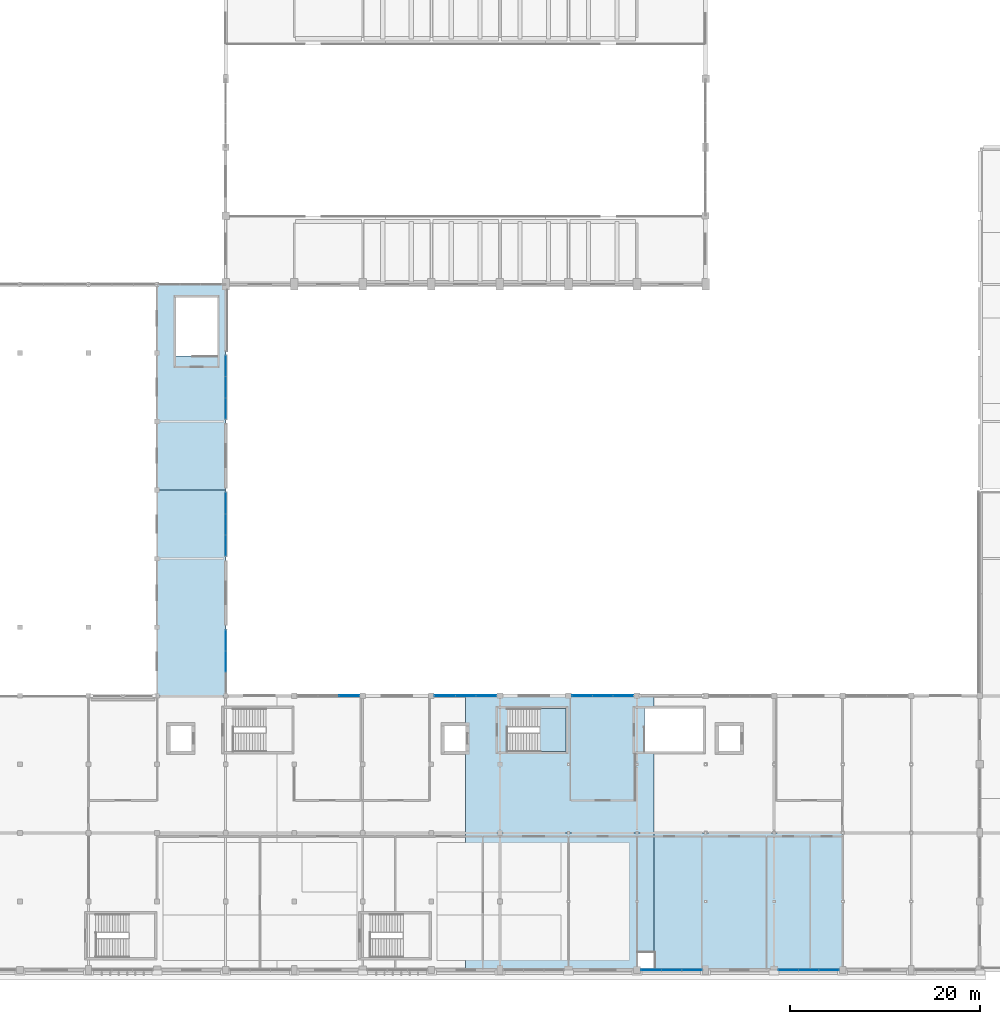
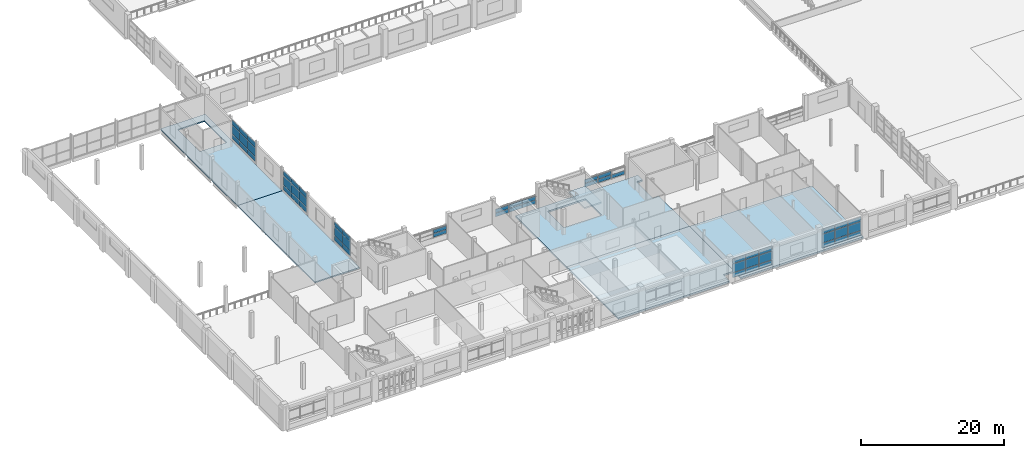
# One storey, part 33 of 71: 55 plates, 6 slabs, 9 elements without a shape of their own.
"""IFC4 building model written with IfcOpenShell, lengths in metres."""

from ifc_helpers import new_model, si_unit, direction, frame, origin, origin_2d, place, context, subcontext, project, spatial, polyline, rectangle, outline, extrude, material, layer, layer_set, type_object, element, aggregate, save


model = new_model("IFC4")

# Units and contexts
model_context = context("Model", 3, precision=1e-05, world=origin(), true_north=direction((0.0, 1.0)))
body_context = subcontext(model_context, "Body", "Model", "MODEL_VIEW")
ifc_project = project(units=[si_unit("LENGTHUNIT", "METRE"), si_unit("AREAUNIT", "SQUARE_METRE"), si_unit("VOLUMEUNIT", "CUBIC_METRE"), si_unit("PLANEANGLEUNIT", "RADIAN"), si_unit("MASSUNIT", "GRAM", prefix="KILO")], contexts=[model_context])

# Site, building, storey
site_placement = place(None, origin())
site = spatial("IfcSite", under=ifc_project, at=site_placement, CompositionType="ELEMENT")
building_placement = place(site_placement, origin())
building = spatial("IfcBuilding", under=site, at=building_placement, Name="Sardonyx Promenade Sports Hall", CompositionType="ELEMENT")
storey_placement = place(building_placement, frame((0.0, 0.0, 16.0)))
storey = spatial("IfcBuildingStorey", under=building, at=storey_placement, Name="L03", CompositionType="ELEMENT", Elevation=16.0)

# Curtain wall, plates
ifc_material_1 = material(Name="Aluminium 6063-T6", Category="aluminium")
curtain_wall_type_1 = type_object("IfcCurtainWallType", Name="CW_South_L03_640", PredefinedType="USERDEFINED", material=ifc_material_1)
curtain_wall_1_placement = place(storey_placement, origin())
curtain_wall_1 = element("IfcCurtainWall", 1, at=curtain_wall_1_placement, inside=storey, type_object=curtain_wall_type_1, Name="Curtain wall CW14 cw:L03:042", ObjectType="CURTAIN WALL", PredefinedType="USERDEFINED")
ifc_material_2 = material(Name="Double-glazed solar low-E IGU 28 mm", Category="glass")
ifc_layer_1 = layer(ifc_material_2, 0.028076171875)
ifc_layer_set_1 = layer_set([ifc_layer_1], Name="CW_Pan_Glz_28")
plate_type_1 = type_object("IfcPlateType", Name="CW_Pan_Glz_28", PredefinedType="CURTAIN_PANEL", material=ifc_layer_set_1)
plate_1_placement = place(storey_placement, frame((92.1416015625, 0.0, 0.409912109375), z_axis=(0.0, 0.0, 1.0), x_axis=(-1.0, 0.0, 0.0)))
plate_1 = element("IfcPlate", 2, at=plate_1_placement, type_object=plate_type_1, Name="Curtain panel CP01 cw:L03:042 #1", PredefinedType="CURTAIN_PANEL", context=body_context, shape_type="SweptSolid", body=[
    extrude(rectangle(XDim=2.056640625, YDim=0.028076171875, at=origin_2d()), origin(), (0.0, 0.0, 1.0), 0.81005859375),
])
plate_2_placement = place(storey_placement, frame((92.1416015625, 0.0, 1.27978515625), z_axis=(0.0, 0.0, 1.0), x_axis=(-1.0, 0.0, 0.0)))
plate_2 = element("IfcPlate", 3, at=plate_2_placement, type_object=plate_type_1, Name="Curtain panel CP01 cw:L03:042 #2", PredefinedType="CURTAIN_PANEL", context=body_context, shape_type="SweptSolid", body=[
    extrude(rectangle(XDim=2.056640625, YDim=0.028076171875, at=origin_2d()), origin(), (0.0, 0.0, 1.0), 1.489990234375),
])
plate_3_placement = place(storey_placement, frame((92.1416015625, 0.0, 2.830078125), z_axis=(0.0, 0.0, 1.0), x_axis=(-1.0, 0.0, 0.0)))
plate_3 = element("IfcPlate", 4, at=plate_3_placement, type_object=plate_type_1, Name="Curtain panel CP01 cw:L03:042 #3", PredefinedType="CURTAIN_PANEL", context=body_context, shape_type="SweptSolid", body=[
    extrude(rectangle(XDim=2.056640625, YDim=0.028076171875, at=origin_2d()), origin(), (0.0, 0.0, 1.0), 0.784912109375),
])
plate_4_placement = place(storey_placement, frame((90.02490234375, 0.0, 0.409912109375), z_axis=(0.0, 0.0, 1.0), x_axis=(-1.0, 0.0, 0.0)))
plate_4 = element("IfcPlate", 5, at=plate_4_placement, type_object=plate_type_1, Name="Curtain panel CP01 cw:L03:042 #4", PredefinedType="CURTAIN_PANEL", context=body_context, shape_type="SweptSolid", body=[
    extrude(rectangle(XDim=2.056640625, YDim=0.028076171875, at=origin_2d()), origin(), (0.0, 0.0, 1.0), 0.81005859375),
])
plate_5_placement = place(storey_placement, frame((90.02490234375, 0.0, 1.27978515625), z_axis=(0.0, 0.0, 1.0), x_axis=(-1.0, 0.0, 0.0)))
plate_5 = element("IfcPlate", 6, at=plate_5_placement, type_object=plate_type_1, Name="Curtain panel CP01 cw:L03:042 #5", PredefinedType="CURTAIN_PANEL", context=body_context, shape_type="SweptSolid", body=[
    extrude(rectangle(XDim=2.056640625, YDim=0.028076171875, at=origin_2d()), origin(), (0.0, 0.0, 1.0), 1.489990234375),
])
plate_6_placement = place(storey_placement, frame((90.02490234375, 0.0, 2.830078125), z_axis=(0.0, 0.0, 1.0), x_axis=(-1.0, 0.0, 0.0)))
plate_6 = element("IfcPlate", 7, at=plate_6_placement, type_object=plate_type_1, Name="Curtain panel CP01 cw:L03:042 #6", PredefinedType="CURTAIN_PANEL", context=body_context, shape_type="SweptSolid", body=[
    extrude(rectangle(XDim=2.056640625, YDim=0.028076171875, at=origin_2d()), origin(), (0.0, 0.0, 1.0), 0.784912109375),
])
plate_7_placement = place(storey_placement, frame((87.908447265625, 0.0, 0.409912109375), z_axis=(0.0, 0.0, 1.0), x_axis=(-1.0, 0.0, 0.0)))
plate_7 = element("IfcPlate", 8, at=plate_7_placement, type_object=plate_type_1, Name="Curtain panel CP01 cw:L03:042 #7", PredefinedType="CURTAIN_PANEL", context=body_context, shape_type="SweptSolid", body=[
    extrude(rectangle(XDim=2.056640625, YDim=0.028076171875, at=origin_2d()), origin(), (0.0, 0.0, 1.0), 0.81005859375),
])
plate_8_placement = place(storey_placement, frame((87.908447265625, 0.0, 1.27978515625), z_axis=(0.0, 0.0, 1.0), x_axis=(-1.0, 0.0, 0.0)))
plate_8 = element("IfcPlate", 9, at=plate_8_placement, type_object=plate_type_1, Name="Curtain panel CP01 cw:L03:042 #8", PredefinedType="CURTAIN_PANEL", context=body_context, shape_type="SweptSolid", body=[
    extrude(rectangle(XDim=2.056640625, YDim=0.028076171875, at=origin_2d()), origin(), (0.0, 0.0, 1.0), 1.489990234375),
])
plate_9_placement = place(storey_placement, frame((87.908447265625, 0.0, 2.830078125), z_axis=(0.0, 0.0, 1.0), x_axis=(-1.0, 0.0, 0.0)))
plate_9 = element("IfcPlate", 10, at=plate_9_placement, type_object=plate_type_1, Name="Curtain panel CP01 cw:L03:042 #9", PredefinedType="CURTAIN_PANEL", context=body_context, shape_type="SweptSolid", body=[
    extrude(rectangle(XDim=2.056640625, YDim=0.028076171875, at=origin_2d()), origin(), (0.0, 0.0, 1.0), 0.784912109375),
])
aggregate(curtain_wall_1, [plate_1, plate_2, plate_3, plate_4, plate_5, plate_6, plate_7, plate_8, plate_9])

curtain_wall_2_placement = place(storey_placement, origin())
curtain_wall_2 = element("IfcCurtainWall", 11, at=curtain_wall_2_placement, inside=storey, type_object=curtain_wall_type_1, Name="Curtain wall CW14 cw:L03:043", ObjectType="CURTAIN WALL", PredefinedType="USERDEFINED")
plate_10_placement = place(storey_placement, frame((77.77490234375, 0.0, 0.409912109375), z_axis=(0.0, 0.0, 1.0), x_axis=(-1.0, 0.0, 0.0)))
plate_10 = element("IfcPlate", 12, at=plate_10_placement, type_object=plate_type_1, Name="Curtain panel CP01 cw:L03:043 #1", PredefinedType="CURTAIN_PANEL", context=body_context, shape_type="SweptSolid", body=[
    extrude(rectangle(XDim=2.090087890625, YDim=0.028076171875, at=origin_2d()), origin(), (0.0, 0.0, 1.0), 0.81005859375),
])
plate_11_placement = place(storey_placement, frame((77.77490234375, 0.0, 1.27978515625), z_axis=(0.0, 0.0, 1.0), x_axis=(-1.0, 0.0, 0.0)))
plate_11 = element("IfcPlate", 13, at=plate_11_placement, type_object=plate_type_1, Name="Curtain panel CP01 cw:L03:043 #2", PredefinedType="CURTAIN_PANEL", context=body_context, shape_type="SweptSolid", body=[
    extrude(rectangle(XDim=2.090087890625, YDim=0.028076171875, at=origin_2d()), origin(), (0.0, 0.0, 1.0), 1.489990234375),
])
plate_12_placement = place(storey_placement, frame((77.77490234375, 0.0, 2.830078125), z_axis=(0.0, 0.0, 1.0), x_axis=(-1.0, 0.0, 0.0)))
plate_12 = element("IfcPlate", 14, at=plate_12_placement, type_object=plate_type_1, Name="Curtain panel CP01 cw:L03:043 #3", PredefinedType="CURTAIN_PANEL", context=body_context, shape_type="SweptSolid", body=[
    extrude(rectangle(XDim=2.090087890625, YDim=0.028076171875, at=origin_2d()), origin(), (0.0, 0.0, 1.0), 0.784912109375),
])
plate_13_placement = place(storey_placement, frame((75.625, 0.0, 0.409912109375), z_axis=(0.0, 0.0, 1.0), x_axis=(-1.0, 0.0, 0.0)))
plate_13 = element("IfcPlate", 15, at=plate_13_placement, type_object=plate_type_1, Name="Curtain panel CP01 cw:L03:043 #4", PredefinedType="CURTAIN_PANEL", context=body_context, shape_type="SweptSolid", body=[
    extrude(rectangle(XDim=2.090087890625, YDim=0.028076171875, at=origin_2d()), origin(), (0.0, 0.0, 1.0), 0.81005859375),
])
plate_14_placement = place(storey_placement, frame((75.625, 0.0, 1.27978515625), z_axis=(0.0, 0.0, 1.0), x_axis=(-1.0, 0.0, 0.0)))
plate_14 = element("IfcPlate", 16, at=plate_14_placement, type_object=plate_type_1, Name="Curtain panel CP01 cw:L03:043 #5", PredefinedType="CURTAIN_PANEL", context=body_context, shape_type="SweptSolid", body=[
    extrude(rectangle(XDim=2.090087890625, YDim=0.028076171875, at=origin_2d()), origin(), (0.0, 0.0, 1.0), 1.489990234375),
])
plate_15_placement = place(storey_placement, frame((75.625, 0.0, 2.830078125), z_axis=(0.0, 0.0, 1.0), x_axis=(-1.0, 0.0, 0.0)))
plate_15 = element("IfcPlate", 17, at=plate_15_placement, type_object=plate_type_1, Name="Curtain panel CP01 cw:L03:043 #6", PredefinedType="CURTAIN_PANEL", context=body_context, shape_type="SweptSolid", body=[
    extrude(rectangle(XDim=2.090087890625, YDim=0.028076171875, at=origin_2d()), origin(), (0.0, 0.0, 1.0), 0.784912109375),
])
plate_16_placement = place(storey_placement, frame((73.47509765625, 0.0, 0.409912109375), z_axis=(0.0, 0.0, 1.0), x_axis=(-1.0, 0.0, 0.0)))
plate_16 = element("IfcPlate", 18, at=plate_16_placement, type_object=plate_type_1, Name="Curtain panel CP01 cw:L03:043 #7", PredefinedType="CURTAIN_PANEL", context=body_context, shape_type="SweptSolid", body=[
    extrude(rectangle(XDim=2.090087890625, YDim=0.028076171875, at=origin_2d()), origin(), (0.0, 0.0, 1.0), 0.81005859375),
])
plate_17_placement = place(storey_placement, frame((73.47509765625, 0.0, 1.27978515625), z_axis=(0.0, 0.0, 1.0), x_axis=(-1.0, 0.0, 0.0)))
plate_17 = element("IfcPlate", 19, at=plate_17_placement, type_object=plate_type_1, Name="Curtain panel CP01 cw:L03:043 #8", PredefinedType="CURTAIN_PANEL", context=body_context, shape_type="SweptSolid", body=[
    extrude(rectangle(XDim=2.090087890625, YDim=0.028076171875, at=origin_2d()), origin(), (0.0, 0.0, 1.0), 1.489990234375),
])
plate_18_placement = place(storey_placement, frame((73.47509765625, 0.0, 2.830078125), z_axis=(0.0, 0.0, 1.0), x_axis=(-1.0, 0.0, 0.0)))
plate_18 = element("IfcPlate", 20, at=plate_18_placement, type_object=plate_type_1, Name="Curtain panel CP01 cw:L03:043 #9", PredefinedType="CURTAIN_PANEL", context=body_context, shape_type="SweptSolid", body=[
    extrude(rectangle(XDim=2.090087890625, YDim=0.028076171875, at=origin_2d()), origin(), (0.0, 0.0, 1.0), 0.784912109375),
])
aggregate(curtain_wall_2, [plate_10, plate_11, plate_12, plate_13, plate_14, plate_15, plate_16, plate_17, plate_18])

curtain_wall_3_placement = place(storey_placement, origin())
curtain_wall_3 = element("IfcCurtainWall", 21, at=curtain_wall_3_placement, inside=storey, type_object=curtain_wall_type_1, Name="Curtain wall CW14 cw:L03:155", ObjectType="CURTAIN WALL", PredefinedType="USERDEFINED")
plate_19_placement = place(storey_placement, frame((28.800048828125, 63.419921875, 0.409912109375), z_axis=(0.0, 0.0, 1.0), x_axis=(0.0, -1.0, 0.0)))
plate_19 = element("IfcPlate", 22, at=plate_19_placement, type_object=plate_type_1, Name="Curtain panel CP01 cw:L03:155 #1", PredefinedType="CURTAIN_PANEL", context=body_context, shape_type="SweptSolid", body=[
    extrude(rectangle(XDim=2.159912109375, YDim=0.028076171875, at=origin_2d()), origin(), (0.0, 0.0, 1.0), 0.81005859375),
])
plate_20_placement = place(storey_placement, frame((28.800048828125, 63.419921875, 1.27978515625), z_axis=(0.0, 0.0, 1.0), x_axis=(0.0, -1.0, 0.0)))
plate_20 = element("IfcPlate", 23, at=plate_20_placement, type_object=plate_type_1, Name="Curtain panel CP01 cw:L03:155 #2", PredefinedType="CURTAIN_PANEL", context=body_context, shape_type="SweptSolid", body=[
    extrude(rectangle(XDim=2.159912109375, YDim=0.028076171875, at=origin_2d()), origin(), (0.0, 0.0, 1.0), 1.489990234375),
])
plate_21_placement = place(storey_placement, frame((28.800048828125, 63.419921875, 2.830078125), z_axis=(0.0, 0.0, 1.0), x_axis=(0.0, -1.0, 0.0)))
plate_21 = element("IfcPlate", 24, at=plate_21_placement, type_object=plate_type_1, Name="Curtain panel CP01 cw:L03:155 #3", PredefinedType="CURTAIN_PANEL", context=body_context, shape_type="SweptSolid", body=[
    extrude(rectangle(XDim=2.159912109375, YDim=0.028076171875, at=origin_2d()), origin(), (0.0, 0.0, 1.0), 0.81494140625),
])
plate_22_placement = place(storey_placement, frame((28.800048828125, 61.199951171875, 0.409912109375), z_axis=(0.0, 0.0, 1.0), x_axis=(0.0, -1.0, 0.0)))
plate_22 = element("IfcPlate", 25, at=plate_22_placement, type_object=plate_type_1, Name="Curtain panel CP01 cw:L03:155 #4", PredefinedType="CURTAIN_PANEL", context=body_context, shape_type="SweptSolid", body=[
    extrude(rectangle(XDim=2.159912109375, YDim=0.028076171875, at=origin_2d()), origin(), (0.0, 0.0, 1.0), 0.81005859375),
])
plate_23_placement = place(storey_placement, frame((28.800048828125, 61.199951171875, 1.27978515625), z_axis=(0.0, 0.0, 1.0), x_axis=(0.0, -1.0, 0.0)))
plate_23 = element("IfcPlate", 26, at=plate_23_placement, type_object=plate_type_1, Name="Curtain panel CP01 cw:L03:155 #5", PredefinedType="CURTAIN_PANEL", context=body_context, shape_type="SweptSolid", body=[
    extrude(rectangle(XDim=2.159912109375, YDim=0.028076171875, at=origin_2d()), origin(), (0.0, 0.0, 1.0), 1.489990234375),
])
plate_24_placement = place(storey_placement, frame((28.800048828125, 61.199951171875, 2.830078125), z_axis=(0.0, 0.0, 1.0), x_axis=(0.0, -1.0, 0.0)))
plate_24 = element("IfcPlate", 27, at=plate_24_placement, type_object=plate_type_1, Name="Curtain panel CP01 cw:L03:155 #6", PredefinedType="CURTAIN_PANEL", context=body_context, shape_type="SweptSolid", body=[
    extrude(rectangle(XDim=2.159912109375, YDim=0.028076171875, at=origin_2d()), origin(), (0.0, 0.0, 1.0), 0.81494140625),
])
plate_25_placement = place(storey_placement, frame((28.800048828125, 58.97998046875, 0.409912109375), z_axis=(0.0, 0.0, 1.0), x_axis=(0.0, -1.0, 0.0)))
plate_25 = element("IfcPlate", 28, at=plate_25_placement, type_object=plate_type_1, Name="Curtain panel CP01 cw:L03:155 #7", PredefinedType="CURTAIN_PANEL", context=body_context, shape_type="SweptSolid", body=[
    extrude(rectangle(XDim=2.159912109375, YDim=0.028076171875, at=origin_2d()), origin(), (0.0, 0.0, 1.0), 0.81005859375),
])
plate_26_placement = place(storey_placement, frame((28.800048828125, 58.97998046875, 1.27978515625), z_axis=(0.0, 0.0, 1.0), x_axis=(0.0, -1.0, 0.0)))
plate_26 = element("IfcPlate", 29, at=plate_26_placement, type_object=plate_type_1, Name="Curtain panel CP01 cw:L03:155 #8", PredefinedType="CURTAIN_PANEL", context=body_context, shape_type="SweptSolid", body=[
    extrude(rectangle(XDim=2.159912109375, YDim=0.028076171875, at=origin_2d()), origin(), (0.0, 0.0, 1.0), 1.489990234375),
])
plate_27_placement = place(storey_placement, frame((28.800048828125, 58.97998046875, 2.830078125), z_axis=(0.0, 0.0, 1.0), x_axis=(0.0, -1.0, 0.0)))
plate_27 = element("IfcPlate", 30, at=plate_27_placement, type_object=plate_type_1, Name="Curtain panel CP01 cw:L03:155 #9", PredefinedType="CURTAIN_PANEL", context=body_context, shape_type="SweptSolid", body=[
    extrude(rectangle(XDim=2.159912109375, YDim=0.028076171875, at=origin_2d()), origin(), (0.0, 0.0, 1.0), 0.81494140625),
])
aggregate(curtain_wall_3, [plate_19, plate_20, plate_21, plate_22, plate_23, plate_24, plate_25, plate_26, plate_27])

curtain_wall_4_placement = place(storey_placement, origin())
curtain_wall_4 = element("IfcCurtainWall", 31, at=curtain_wall_4_placement, inside=storey, type_object=curtain_wall_type_1, Name="Curtain wall CW14 cw:L03:156", ObjectType="CURTAIN WALL", PredefinedType="USERDEFINED")
plate_28_placement = place(storey_placement, frame((28.800048828125, 49.02001953125, 0.409912109375), z_axis=(0.0, 0.0, 1.0), x_axis=(0.0, -1.0, 0.0)))
plate_28 = element("IfcPlate", 32, at=plate_28_placement, type_object=plate_type_1, Name="Curtain panel CP01 cw:L03:156 #1", PredefinedType="CURTAIN_PANEL", context=body_context, shape_type="SweptSolid", body=[
    extrude(rectangle(XDim=2.159912109375, YDim=0.028076171875, at=origin_2d()), origin(), (0.0, 0.0, 1.0), 0.81005859375),
])
plate_29_placement = place(storey_placement, frame((28.800048828125, 49.02001953125, 1.27978515625), z_axis=(0.0, 0.0, 1.0), x_axis=(0.0, -1.0, 0.0)))
plate_29 = element("IfcPlate", 33, at=plate_29_placement, type_object=plate_type_1, Name="Curtain panel CP01 cw:L03:156 #2", PredefinedType="CURTAIN_PANEL", context=body_context, shape_type="SweptSolid", body=[
    extrude(rectangle(XDim=2.159912109375, YDim=0.028076171875, at=origin_2d()), origin(), (0.0, 0.0, 1.0), 1.489990234375),
])
plate_30_placement = place(storey_placement, frame((28.800048828125, 49.02001953125, 2.830078125), z_axis=(0.0, 0.0, 1.0), x_axis=(0.0, -1.0, 0.0)))
plate_30 = element("IfcPlate", 34, at=plate_30_placement, type_object=plate_type_1, Name="Curtain panel CP01 cw:L03:156 #3", PredefinedType="CURTAIN_PANEL", context=body_context, shape_type="SweptSolid", body=[
    extrude(rectangle(XDim=2.159912109375, YDim=0.028076171875, at=origin_2d()), origin(), (0.0, 0.0, 1.0), 0.81494140625),
])
plate_31_placement = place(storey_placement, frame((28.800048828125, 46.800048828125, 0.409912109375), z_axis=(0.0, 0.0, 1.0), x_axis=(0.0, -1.0, 0.0)))
plate_31 = element("IfcPlate", 35, at=plate_31_placement, type_object=plate_type_1, Name="Curtain panel CP01 cw:L03:156 #4", PredefinedType="CURTAIN_PANEL", context=body_context, shape_type="SweptSolid", body=[
    extrude(rectangle(XDim=2.159912109375, YDim=0.028076171875, at=origin_2d()), origin(), (0.0, 0.0, 1.0), 0.81005859375),
])
plate_32_placement = place(storey_placement, frame((28.800048828125, 46.800048828125, 1.27978515625), z_axis=(0.0, 0.0, 1.0), x_axis=(0.0, -1.0, 0.0)))
plate_32 = element("IfcPlate", 36, at=plate_32_placement, type_object=plate_type_1, Name="Curtain panel CP01 cw:L03:156 #5", PredefinedType="CURTAIN_PANEL", context=body_context, shape_type="SweptSolid", body=[
    extrude(rectangle(XDim=2.159912109375, YDim=0.028076171875, at=origin_2d()), origin(), (0.0, 0.0, 1.0), 1.489990234375),
])
plate_33_placement = place(storey_placement, frame((28.800048828125, 46.800048828125, 2.830078125), z_axis=(0.0, 0.0, 1.0), x_axis=(0.0, -1.0, 0.0)))
plate_33 = element("IfcPlate", 37, at=plate_33_placement, type_object=plate_type_1, Name="Curtain panel CP01 cw:L03:156 #6", PredefinedType="CURTAIN_PANEL", context=body_context, shape_type="SweptSolid", body=[
    extrude(rectangle(XDim=2.159912109375, YDim=0.028076171875, at=origin_2d()), origin(), (0.0, 0.0, 1.0), 0.81494140625),
])
plate_34_placement = place(storey_placement, frame((28.800048828125, 44.580078125, 0.409912109375), z_axis=(0.0, 0.0, 1.0), x_axis=(0.0, -1.0, 0.0)))
plate_34 = element("IfcPlate", 38, at=plate_34_placement, type_object=plate_type_1, Name="Curtain panel CP01 cw:L03:156 #7", PredefinedType="CURTAIN_PANEL", context=body_context, shape_type="SweptSolid", body=[
    extrude(rectangle(XDim=2.159912109375, YDim=0.028076171875, at=origin_2d()), origin(), (0.0, 0.0, 1.0), 0.81005859375),
])
plate_35_placement = place(storey_placement, frame((28.800048828125, 44.580078125, 1.27978515625), z_axis=(0.0, 0.0, 1.0), x_axis=(0.0, -1.0, 0.0)))
plate_35 = element("IfcPlate", 39, at=plate_35_placement, type_object=plate_type_1, Name="Curtain panel CP01 cw:L03:156 #8", PredefinedType="CURTAIN_PANEL", context=body_context, shape_type="SweptSolid", body=[
    extrude(rectangle(XDim=2.159912109375, YDim=0.028076171875, at=origin_2d()), origin(), (0.0, 0.0, 1.0), 1.489990234375),
])
plate_36_placement = place(storey_placement, frame((28.800048828125, 44.580078125, 2.830078125), z_axis=(0.0, 0.0, 1.0), x_axis=(0.0, -1.0, 0.0)))
plate_36 = element("IfcPlate", 40, at=plate_36_placement, type_object=plate_type_1, Name="Curtain panel CP01 cw:L03:156 #9", PredefinedType="CURTAIN_PANEL", context=body_context, shape_type="SweptSolid", body=[
    extrude(rectangle(XDim=2.159912109375, YDim=0.028076171875, at=origin_2d()), origin(), (0.0, 0.0, 1.0), 0.81494140625),
])
aggregate(curtain_wall_4, [plate_28, plate_29, plate_30, plate_31, plate_32, plate_33, plate_34, plate_35, plate_36])

curtain_wall_5_placement = place(storey_placement, origin())
curtain_wall_5 = element("IfcCurtainWall", 41, at=curtain_wall_5_placement, inside=storey, type_object=curtain_wall_type_1, Name="Curtain wall CW14 cw:L03:157", ObjectType="CURTAIN WALL", PredefinedType="USERDEFINED")
plate_37_placement = place(storey_placement, frame((28.800048828125, 34.625, 0.409912109375), z_axis=(0.0, 0.0, 1.0), x_axis=(0.0, -1.0, 0.0)))
plate_37 = element("IfcPlate", 42, at=plate_37_placement, type_object=plate_type_1, Name="Curtain panel CP01 cw:L03:157 #1", PredefinedType="CURTAIN_PANEL", context=body_context, shape_type="SweptSolid", body=[
    extrude(rectangle(XDim=2.14990234375, YDim=0.028076171875, at=origin_2d()), origin(), (0.0, 0.0, 1.0), 0.81005859375),
])
plate_38_placement = place(storey_placement, frame((28.800048828125, 34.625, 1.27978515625), z_axis=(0.0, 0.0, 1.0), x_axis=(0.0, -1.0, 0.0)))
plate_38 = element("IfcPlate", 43, at=plate_38_placement, type_object=plate_type_1, Name="Curtain panel CP01 cw:L03:157 #2", PredefinedType="CURTAIN_PANEL", context=body_context, shape_type="SweptSolid", body=[
    extrude(rectangle(XDim=2.14990234375, YDim=0.028076171875, at=origin_2d()), origin(), (0.0, 0.0, 1.0), 1.489990234375),
])
plate_39_placement = place(storey_placement, frame((28.800048828125, 34.625, 2.830078125), z_axis=(0.0, 0.0, 1.0), x_axis=(0.0, -1.0, 0.0)))
plate_39 = element("IfcPlate", 44, at=plate_39_placement, type_object=plate_type_1, Name="Curtain panel CP01 cw:L03:157 #3", PredefinedType="CURTAIN_PANEL", context=body_context, shape_type="SweptSolid", body=[
    extrude(rectangle(XDim=2.14990234375, YDim=0.028076171875, at=origin_2d()), origin(), (0.0, 0.0, 1.0), 0.764892578125),
])
plate_40_placement = place(storey_placement, frame((28.800048828125, 32.4150390625, 0.409912109375), z_axis=(0.0, 0.0, 1.0), x_axis=(0.0, -1.0, 0.0)))
plate_40 = element("IfcPlate", 45, at=plate_40_placement, type_object=plate_type_1, Name="Curtain panel CP01 cw:L03:157 #4", PredefinedType="CURTAIN_PANEL", context=body_context, shape_type="SweptSolid", body=[
    extrude(rectangle(XDim=2.14990234375, YDim=0.028076171875, at=origin_2d()), origin(), (0.0, 0.0, 1.0), 0.81005859375),
])
plate_41_placement = place(storey_placement, frame((28.800048828125, 32.4150390625, 1.27978515625), z_axis=(0.0, 0.0, 1.0), x_axis=(0.0, -1.0, 0.0)))
plate_41 = element("IfcPlate", 46, at=plate_41_placement, type_object=plate_type_1, Name="Curtain panel CP01 cw:L03:157 #5", PredefinedType="CURTAIN_PANEL", context=body_context, shape_type="SweptSolid", body=[
    extrude(rectangle(XDim=2.14990234375, YDim=0.028076171875, at=origin_2d()), origin(), (0.0, 0.0, 1.0), 1.489990234375),
])
plate_42_placement = place(storey_placement, frame((28.800048828125, 32.4150390625, 2.830078125), z_axis=(0.0, 0.0, 1.0), x_axis=(0.0, -1.0, 0.0)))
plate_42 = element("IfcPlate", 47, at=plate_42_placement, type_object=plate_type_1, Name="Curtain panel CP01 cw:L03:157 #6", PredefinedType="CURTAIN_PANEL", context=body_context, shape_type="SweptSolid", body=[
    extrude(rectangle(XDim=2.14990234375, YDim=0.028076171875, at=origin_2d()), origin(), (0.0, 0.0, 1.0), 0.764892578125),
])
aggregate(curtain_wall_5, [plate_37, plate_38, plate_39, plate_40, plate_41, plate_42])

ifc_material_3 = material(Name="Aluminium 6063-T6", Category="aluminium")
curtain_wall_type_2 = type_object("IfcCurtainWallType", Name="CW_Spandrel_Band", PredefinedType="USERDEFINED", material=ifc_material_3)
curtain_wall_6_placement = place(storey_placement, origin())
curtain_wall_6 = element("IfcCurtainWall", 48, at=curtain_wall_6_placement, inside=storey, type_object=curtain_wall_type_2, Name="Curtain wall CW16 cw:L03:163", ObjectType="CURTAIN WALL", PredefinedType="USERDEFINED")
ifc_material_4 = material(Name="Insulated sandstone-faced spandrel 60 mm", Category="masonry")
ifc_layer_2 = layer(ifc_material_4, 0.06005859375)
ifc_layer_set_2 = layer_set([ifc_layer_2], Name="CW_Pan_Spn_60")
plate_type_2 = type_object("IfcPlateType", Name="CW_Pan_Spn_60", PredefinedType="CURTAIN_PANEL", material=ifc_layer_set_2)
plate_43_placement = place(storey_placement, frame((41.7666015625, 28.800048828125, 0.9599609375), z_axis=(0.0, 0.0, 1.0), x_axis=(1.0, 0.0, 0.0)))
plate_43 = element("IfcPlate", 49, at=plate_43_placement, type_object=plate_type_2, Name="Curtain panel CP06 cw:L03:163 #5", PredefinedType="CURTAIN_PANEL", context=body_context, shape_type="SweptSolid", body=[
    extrude(rectangle(XDim=2.106689453125, YDim=0.06005859375, at=origin_2d()), origin(), (0.0, 0.0, 1.0), 0.610107421875),
])
plate_44_placement = place(storey_placement, frame((41.7666015625, 28.800048828125, 1.6298828125), z_axis=(0.0, 0.0, 1.0), x_axis=(1.0, 0.0, 0.0)))
plate_44 = element("IfcPlate", 50, at=plate_44_placement, type_object=plate_type_2, Name="Curtain panel CP06 cw:L03:163 #6", PredefinedType="CURTAIN_PANEL", context=body_context, shape_type="SweptSolid", body=[
    extrude(rectangle(XDim=2.106689453125, YDim=0.06005859375, at=origin_2d()), origin(), (0.0, 0.0, 1.0), 0.610107421875),
])
aggregate(curtain_wall_6, [plate_43, plate_44])

curtain_wall_7_placement = place(storey_placement, origin())
curtain_wall_7 = element("IfcCurtainWall", 51, at=curtain_wall_7_placement, inside=storey, type_object=curtain_wall_type_2, Name="Curtain wall CW16 cw:L03:164", ObjectType="CURTAIN WALL", PredefinedType="USERDEFINED")
plate_45_placement = place(storey_placement, frame((51.833251953125, 28.800048828125, 0.9599609375), z_axis=(0.0, 0.0, 1.0), x_axis=(1.0, 0.0, 0.0)))
plate_45 = element("IfcPlate", 52, at=plate_45_placement, type_object=plate_type_2, Name="Curtain panel CP06 cw:L03:164 #1", PredefinedType="CURTAIN_PANEL", context=body_context, shape_type="SweptSolid", body=[
    extrude(rectangle(XDim=2.106689453125, YDim=0.06005859375, at=origin_2d()), origin(), (0.0, 0.0, 1.0), 0.610107421875),
])
plate_46_placement = place(storey_placement, frame((51.833251953125, 28.800048828125, 1.6298828125), z_axis=(0.0, 0.0, 1.0), x_axis=(1.0, 0.0, 0.0)))
plate_46 = element("IfcPlate", 53, at=plate_46_placement, type_object=plate_type_2, Name="Curtain panel CP06 cw:L03:164 #2", PredefinedType="CURTAIN_PANEL", context=body_context, shape_type="SweptSolid", body=[
    extrude(rectangle(XDim=2.106689453125, YDim=0.06005859375, at=origin_2d()), origin(), (0.0, 0.0, 1.0), 0.610107421875),
])
plate_47_placement = place(storey_placement, frame((54.0, 28.800048828125, 0.9599609375), z_axis=(0.0, 0.0, 1.0), x_axis=(1.0, 0.0, 0.0)))
plate_47 = element("IfcPlate", 54, at=plate_47_placement, type_object=plate_type_2, Name="Curtain panel CP06 cw:L03:164 #3", PredefinedType="CURTAIN_PANEL", context=body_context, shape_type="SweptSolid", body=[
    extrude(rectangle(XDim=2.106689453125, YDim=0.06005859375, at=origin_2d()), origin(), (0.0, 0.0, 1.0), 0.610107421875),
])
plate_48_placement = place(storey_placement, frame((54.0, 28.800048828125, 1.6298828125), z_axis=(0.0, 0.0, 1.0), x_axis=(1.0, 0.0, 0.0)))
plate_48 = element("IfcPlate", 55, at=plate_48_placement, type_object=plate_type_2, Name="Curtain panel CP06 cw:L03:164 #4", PredefinedType="CURTAIN_PANEL", context=body_context, shape_type="SweptSolid", body=[
    extrude(rectangle(XDim=2.106689453125, YDim=0.06005859375, at=origin_2d()), origin(), (0.0, 0.0, 1.0), 0.610107421875),
])
plate_49_placement = place(storey_placement, frame((56.166748046875, 28.800048828125, 0.9599609375), z_axis=(0.0, 0.0, 1.0), x_axis=(1.0, 0.0, 0.0)))
plate_49 = element("IfcPlate", 56, at=plate_49_placement, type_object=plate_type_2, Name="Curtain panel CP06 cw:L03:164 #5", PredefinedType="CURTAIN_PANEL", context=body_context, shape_type="SweptSolid", body=[
    extrude(rectangle(XDim=2.106689453125, YDim=0.06005859375, at=origin_2d()), origin(), (0.0, 0.0, 1.0), 0.610107421875),
])
plate_50_placement = place(storey_placement, frame((56.166748046875, 28.800048828125, 1.6298828125), z_axis=(0.0, 0.0, 1.0), x_axis=(1.0, 0.0, 0.0)))
plate_50 = element("IfcPlate", 57, at=plate_50_placement, type_object=plate_type_2, Name="Curtain panel CP06 cw:L03:164 #6", PredefinedType="CURTAIN_PANEL", context=body_context, shape_type="SweptSolid", body=[
    extrude(rectangle(XDim=2.106689453125, YDim=0.06005859375, at=origin_2d()), origin(), (0.0, 0.0, 1.0), 0.610107421875),
])
aggregate(curtain_wall_7, [plate_45, plate_46, plate_47, plate_48, plate_49, plate_50])

curtain_wall_8_placement = place(storey_placement, origin())
curtain_wall_8 = element("IfcCurtainWall", 58, at=curtain_wall_8_placement, inside=storey, type_object=curtain_wall_type_2, Name="Curtain wall CW16 cw:L03:165", ObjectType="CURTAIN WALL", PredefinedType="USERDEFINED")
plate_51_placement = place(storey_placement, frame((66.2333984375, 28.800048828125, 0.9599609375), z_axis=(0.0, 0.0, 1.0), x_axis=(1.0, 0.0, 0.0)))
plate_51 = element("IfcPlate", 59, at=plate_51_placement, type_object=plate_type_2, Name="Curtain panel CP06 cw:L03:165 #1", PredefinedType="CURTAIN_PANEL", context=body_context, shape_type="SweptSolid", body=[
    extrude(rectangle(XDim=2.106689453125, YDim=0.06005859375, at=origin_2d()), origin(), (0.0, 0.0, 1.0), 0.610107421875),
])
plate_52_placement = place(storey_placement, frame((66.2333984375, 28.800048828125, 1.6298828125), z_axis=(0.0, 0.0, 1.0), x_axis=(1.0, 0.0, 0.0)))
plate_52 = element("IfcPlate", 60, at=plate_52_placement, type_object=plate_type_2, Name="Curtain panel CP06 cw:L03:165 #2", PredefinedType="CURTAIN_PANEL", context=body_context, shape_type="SweptSolid", body=[
    extrude(rectangle(XDim=2.106689453125, YDim=0.06005859375, at=origin_2d()), origin(), (0.0, 0.0, 1.0), 0.610107421875),
])
plate_53_placement = place(storey_placement, frame((68.39990234375, 28.800048828125, 0.9599609375), z_axis=(0.0, 0.0, 1.0), x_axis=(1.0, 0.0, 0.0)))
plate_53 = element("IfcPlate", 61, at=plate_53_placement, type_object=plate_type_2, Name="Curtain panel CP06 cw:L03:165 #3", PredefinedType="CURTAIN_PANEL", context=body_context, shape_type="SweptSolid", body=[
    extrude(rectangle(XDim=2.106689453125, YDim=0.06005859375, at=origin_2d()), origin(), (0.0, 0.0, 1.0), 0.610107421875),
])
plate_54_placement = place(storey_placement, frame((68.39990234375, 28.800048828125, 1.6298828125), z_axis=(0.0, 0.0, 1.0), x_axis=(1.0, 0.0, 0.0)))
plate_54 = element("IfcPlate", 62, at=plate_54_placement, type_object=plate_type_2, Name="Curtain panel CP06 cw:L03:165 #4", PredefinedType="CURTAIN_PANEL", context=body_context, shape_type="SweptSolid", body=[
    extrude(rectangle(XDim=2.106689453125, YDim=0.06005859375, at=origin_2d()), origin(), (0.0, 0.0, 1.0), 0.610107421875),
])
plate_55_placement = place(storey_placement, frame((70.566650390625, 28.800048828125, 0.9599609375), z_axis=(0.0, 0.0, 1.0), x_axis=(1.0, 0.0, 0.0)))
plate_55 = element("IfcPlate", 63, at=plate_55_placement, type_object=plate_type_2, Name="Curtain panel CP06 cw:L03:165 #5", PredefinedType="CURTAIN_PANEL", context=body_context, shape_type="SweptSolid", body=[
    extrude(rectangle(XDim=2.106689453125, YDim=0.06005859375, at=origin_2d()), origin(), (0.0, 0.0, 1.0), 0.610107421875),
])
aggregate(curtain_wall_8, [plate_51, plate_52, plate_53, plate_54, plate_55])

# Stair, slab
ifc_material_5 = material(Name="Concrete C40/50", Category="concrete")
stair_type = type_object("IfcStairType", Name="Stair_Esc_Top_440", PredefinedType="HALF_TURN_STAIR", material=ifc_material_5)
stair_placement = place(storey_placement, origin())
stair = element("IfcStair", 64, at=stair_placement, inside=storey, type_object=stair_type, Name="Protected escape stair ST3 (L03 to L04)", PredefinedType="HALF_TURN_STAIR")
ifc_material_6 = material(Name="Concrete C40/50", Category="concrete")
ifc_layer_3 = layer(ifc_material_6, 0.22998046875)
ifc_layer_set_3 = layer_set([ifc_layer_3], Name="Land_Stair_230")
slab_type_1 = type_object("IfcSlabType", Name="Land_Stair_230", PredefinedType="LANDING", material=ifc_layer_set_3)
slab_1_placement = place(storey_placement, frame((0.0, 0.0, 1.969970703125)))
slab_1 = element("IfcSlab", 65, at=slab_1_placement, type_object=slab_type_1, Name="Stair half-landing ST3 L03", PredefinedType="LANDING", context=body_context, shape_type="SweptSolid", body=[
    extrude(outline(polyline([(61.7900390625, 22.925048828125), (64.550048828125, 22.925048828125), (64.550048828125, 27.47509765625), (61.7900390625, 27.47509765625), (61.7900390625, 22.925048828125)])), origin(), (0.0, 0.0, 1.0), 0.22998046875),
])
aggregate(stair, [slab_1])

# Slabs
ifc_material_7 = material(Name="Concrete C40/50", Category="concrete")
ifc_layer_4 = layer(ifc_material_7, 0.199951171875)
ifc_layer_set_4 = layer_set([ifc_layer_4], Name="Slab_Floor_Mezz_200")
slab_type_2 = type_object("IfcSlabType", Name="Slab_Floor_Mezz_200", PredefinedType="FLOOR", material=ifc_layer_set_4)
slab_2_placement = place(storey_placement, frame((0.0, 0.0, -0.199951171875)))
element("IfcSlab", 66, at=slab_2_placement, inside=storey, type_object=slab_type_2, Name="Slab FS05 L03 #190", PredefinedType="FLOOR", context=body_context, shape_type="SweptSolid", body=[
    extrude(outline(polyline([(21.60009765625, 28.800048828125), (28.800048828125, 28.800048828125), (28.800048828125, 50.39990234375), (21.60009765625, 50.39990234375), (21.60009765625, 28.800048828125)])), origin(), (0.0, 0.0, 1.0), 0.199951171875),
])
slab_3_placement = place(storey_placement, frame((0.0, 0.0, -0.199951171875)))
element("IfcSlab", 67, at=slab_3_placement, inside=storey, type_object=slab_type_2, Name="Slab FS05 L03 #191", PredefinedType="FLOOR", context=body_context, shape_type="SweptSolid", body=[
    extrude(outline(polyline([(21.60009765625, 72.0), (21.60009765625, 50.39990234375), (28.800048828125, 50.39990234375), (28.800048828125, 72.0), (21.60009765625, 72.0)]), holes=[polyline([(27.925048828125, 70.64990234375), (27.925048828125, 64.4599609375), (23.574951171875, 64.4599609375), (23.574951171875, 70.64990234375), (27.925048828125, 70.64990234375)])]), origin(), (0.0, 0.0, 1.0), 0.199951171875),
])
ifc_material_8 = material(Name="Concrete C40/50", Category="concrete")
ifc_layer_5 = layer(ifc_material_8, 0.27001953125)
ifc_layer_set_5 = layer_set([ifc_layer_5], Name="Slab_Floor_Studio_250")
slab_type_3 = type_object("IfcSlabType", Name="Slab_Floor_Studio_250", PredefinedType="FLOOR", material=ifc_layer_set_5)
slab_4_placement = place(storey_placement, frame((0.0, 0.0, -0.27001953125)))
element("IfcSlab", 68, at=slab_4_placement, inside=storey, type_object=slab_type_3, Name="Slab FS03 L03 #196", PredefinedType="FLOOR", context=body_context, shape_type="SweptSolid", body=[
    extrude(outline(polyline([(54.0, 0.0), (72.0, 0.0), (72.0, 1.800048828125), (73.800048828125, 1.800048828125), (73.800048828125, 14.39990234375), (54.0, 14.39990234375), (54.0, 0.0)])), origin(), (0.0, 0.0, 1.0), 0.27001953125),
])
slab_5_placement = place(storey_placement, frame((0.0, 0.0, -0.27001953125)))
element("IfcSlab", 69, at=slab_5_placement, inside=storey, type_object=slab_type_3, Name="Slab FS03 L03 #197", PredefinedType="FLOOR", context=body_context, shape_type="SweptSolid", body=[
    extrude(outline(polyline([(73.800048828125, 14.39990234375), (73.800048828125, 22.925048828125), (72.81005859375, 22.925048828125), (72.81005859375, 27.47509765625), (73.800048828125, 27.47509765625), (73.800048828125, 28.800048828125), (54.0, 28.800048828125), (54.0, 25.610107421875), (54.010009765625, 25.610107421875), (54.010009765625, 22.989990234375), (54.0, 22.989990234375), (54.0, 14.39990234375), (73.800048828125, 14.39990234375)]), holes=[polyline([(58.409912109375, 27.47509765625), (64.550048828125, 27.47509765625), (64.550048828125, 22.925048828125), (58.409912109375, 22.925048828125), (58.409912109375, 27.47509765625)])]), origin(), (0.0, 0.0, 1.0), 0.27001953125),
])
slab_6_placement = place(storey_placement, frame((0.0, 0.0, -0.27001953125)))
element("IfcSlab", 70, at=slab_6_placement, inside=storey, type_object=slab_type_3, Name="Slab FS03 L03 #198", PredefinedType="FLOOR", context=body_context, shape_type="SweptSolid", body=[
    extrude(outline(polyline([(73.800048828125, 0.0), (93.60009765625, 0.0), (93.60009765625, 14.39990234375), (73.800048828125, 14.39990234375), (73.800048828125, 0.0)])), origin(), (0.0, 0.0, 1.0), 0.27001953125),
])

save(model, "model.ifc")
